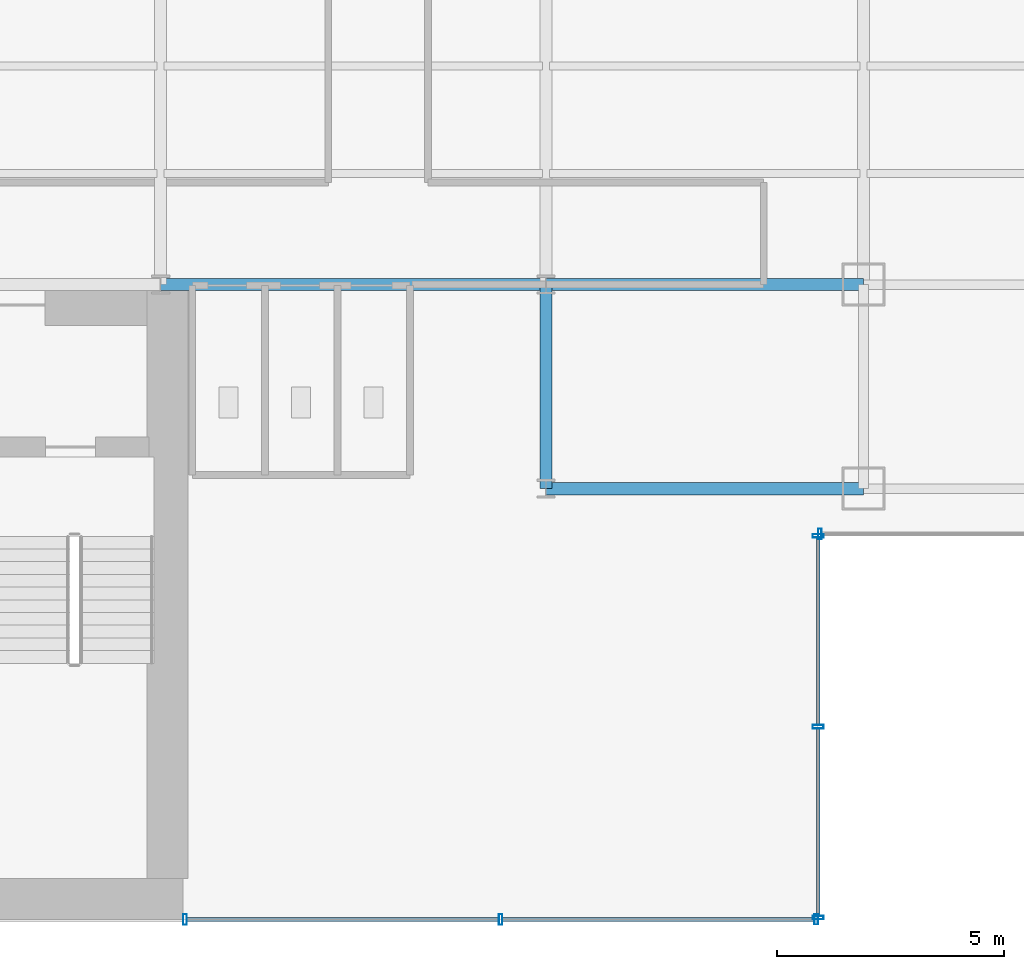
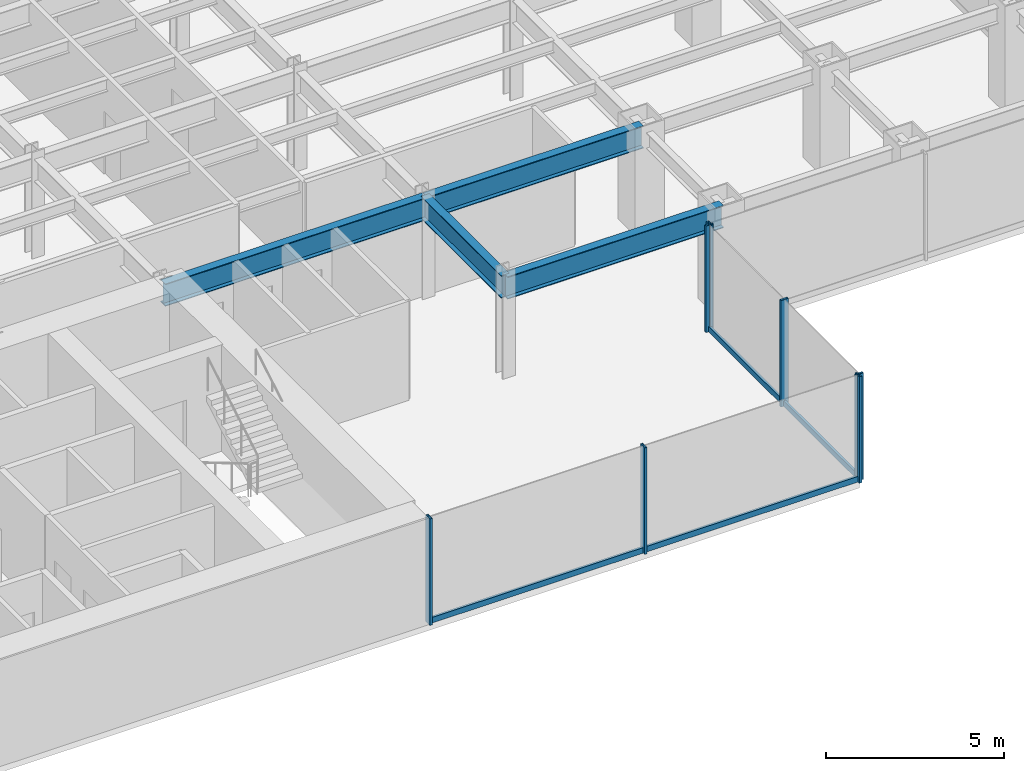
# One storey, part 6 of 23: 11 members, 4 beams, 3 elements without a shape of their own.
"""IFC4 building model written with IfcOpenShell, lengths in metres."""

from ifc_helpers import new_model, si_unit, derived_unit, direction, frame, origin, origin_2d, place, context, subcontext, project, spatial, hollow_rectangle, i_section, extrude, source, transform, mapped, material, material_profile, profile_set, type_object, element, aggregate, save


model = new_model("IFC4")

# Units and contexts
model_context = context("Model", 3, precision=1e-05, world=origin(), true_north=direction((0.0, 1.0)))
body_context = subcontext(model_context, "Body", "Model", "MODEL_VIEW")
ifc_project = project(units=[si_unit("LENGTHUNIT", "METRE"), si_unit("AREAUNIT", "SQUARE_METRE"), si_unit("VOLUMEUNIT", "CUBIC_METRE"), si_unit("PLANEANGLEUNIT", "RADIAN"), si_unit("MASSUNIT", "GRAM", prefix="KILO"), derived_unit("THERMALTRANSMITTANCEUNIT", [(si_unit("POWERUNIT", "WATT"), 1), (si_unit("LENGTHUNIT", "METRE"), -2), (si_unit("THERMODYNAMICTEMPERATUREUNIT", "KELVIN"), -1)])], contexts=[model_context])

# Site, building, storey
site_placement = place(None, origin())
site = spatial("IfcSite", under=ifc_project, at=site_placement, CompositionType="ELEMENT")
building_placement = place(site_placement, origin())
building = spatial("IfcBuilding", under=site, at=building_placement, Name="Skarnbrae Concourse Arena and Tower", CompositionType="ELEMENT")
storey_placement = place(building_placement, frame((0.0, 0.0, 47.10009765625)))
storey = spatial("IfcBuildingStorey", under=building, at=storey_placement, Name="L10", CompositionType="ELEMENT", Elevation=47.10009765625)

# Beams
ifc_material_1 = material(Name="Steel CSA G40.21 350W", Category="steel")
ifc_material_profile_1 = material_profile(ifc_material_1, i_section(OverallWidth=0.26806640625, OverallDepth=0.77001953125, WebThickness=0.015625, FlangeThickness=0.025390625, at=origin_2d()), Name="W760X196")
ifc_profile_set_1 = profile_set([ifc_material_profile_1], Name="Steel CSA G40.21 350W")
beam_type = type_object("IfcBeamType", Name="BM-GIRD-W760X196", PredefinedType="BEAM", material=ifc_profile_set_1)
shared_shape_1 = source(origin(), body_context, "Body", "SweptSolid", [
    extrude(i_section(OverallWidth=0.26806640625, OverallDepth=0.77001953125, WebThickness=0.015625, FlangeThickness=0.025390625, at=origin_2d()), origin(), (0.0, 0.0, 1.0), 7.0),
])
for number, where, z_axis, x_axis, name in (
    (1, (42.0, 9.5, 3.014892578125), (1.0, 0.0, 0.0), (0.0, 1.0, 0.0), "L10 Primary E-W girder Y9.5-2"),
    (2, (42.0, 14.0, 3.014892578125), (1.0, 0.0, 0.0), (0.0, 1.0, 0.0), "L10 Primary E-W girder Y14.0-7"),
):
    element("IfcBeam", number, at=place(storey_placement, frame(where, z_axis=z_axis, x_axis=x_axis)), inside=storey, type_object=beam_type, Name=name, PredefinedType="BEAM", context=body_context, shape_type="MappedRepresentation", body=[
        mapped(shared_shape_1, transform((0.0, 0.0, 0.0))),
    ])
shared_shape_2 = source(origin(), body_context, "Body", "SweptSolid", [
    extrude(i_section(OverallWidth=0.26806640625, OverallDepth=0.77001953125, WebThickness=0.015625, FlangeThickness=0.025390625, at=origin_2d()), origin(), (0.0, 0.0, 1.0), 8.5),
])
beam_1_placement = place(storey_placement, frame((33.5, 14.0, 3.014892578125), z_axis=(1.0, 0.0, 0.0), x_axis=(0.0, 1.0, 0.0)))
element("IfcBeam", 3, at=beam_1_placement, inside=storey, type_object=beam_type, Name="L10 Primary E-W girder Y14.0-6", PredefinedType="BEAM", context=body_context, shape_type="MappedRepresentation", body=[
    mapped(shared_shape_2, transform((0.0, 0.0, 0.0))),
])
shared_shape_3 = source(origin(), body_context, "Body", "SweptSolid", [
    extrude(i_section(OverallWidth=0.26806640625, OverallDepth=0.77001953125, WebThickness=0.015625, FlangeThickness=0.025390625, at=origin_2d()), origin(), (0.0, 0.0, 1.0), 4.5),
])
beam_2_placement = place(storey_placement, frame((42.0, 9.5, 3.014892578125), z_axis=(0.0, 1.0, 0.0), x_axis=(-1.0, 0.0, 0.0)))
element("IfcBeam", 4, at=beam_2_placement, inside=storey, type_object=beam_type, Name="L10 Primary N-S girder X42.0-1", PredefinedType="BEAM", context=body_context, shape_type="MappedRepresentation", body=[
    mapped(shared_shape_3, transform((0.0, 0.0, 0.0))),
])

# Curtain wall, members
ifc_material_2 = material(Name="Bronze anodised aluminium 6063-T6", Category="aluminium")
curtain_wall_type = type_object("IfcCurtainWallType", Name="CW-SYS-02-LOWZONE", PredefinedType="USERDEFINED", material=ifc_material_2)
curtain_wall_1_placement = place(storey_placement, origin())
curtain_wall_1 = element("IfcCurtainWall", 5, at=curtain_wall_1_placement, inside=storey, type_object=curtain_wall_type, Name="L10 Unitised curtain wall CW-L10-SE-SPINE", ObjectType="UNITISED CURTAIN WALL", PredefinedType="USERDEFINED")
ifc_material_profile_2 = material_profile(ifc_material_2, hollow_rectangle(XDim=0.080078125, YDim=0.239990234375, WallThickness=0.0048828125, at=origin_2d()), Name="ALU-MULL-80X240")
ifc_profile_set_2 = profile_set([ifc_material_profile_2], Name="Bronze anodised aluminium 6063-T6")
member_type_1 = type_object("IfcMemberType", Name="CWM-CW-02", PredefinedType="MULLION", material=ifc_profile_set_2)
shared_shape_4 = source(origin(), body_context, "Body", "SweptSolid", [
    extrude(hollow_rectangle(XDim=0.080078125, YDim=0.239990234375, WallThickness=0.0048828125, at=origin_2d()), origin(), (0.0, 0.0, 1.0), 3.64990234375),
])
member_1_placement = place(storey_placement, frame((34.0400390625, 0.0, 0.0), z_axis=(0.0, 0.0, 1.0), x_axis=(1.0, 0.0, 0.0)))
member_1 = element("IfcMember", 6, at=member_1_placement, type_object=member_type_1, Name="CW-L10-SE-SPINE Mullion 1", PredefinedType="MULLION", context=body_context, shape_type="MappedRepresentation", body=[
    mapped(shared_shape_4, transform((0.0, 0.0, 0.0))),
])
member_2_placement = place(storey_placement, frame((41.0, 0.0, 0.0), z_axis=(0.0, 0.0, 1.0), x_axis=(1.0, 0.0, 0.0)))
member_2 = element("IfcMember", 7, at=member_2_placement, type_object=member_type_1, Name="CW-L10-SE-SPINE Mullion 2", PredefinedType="MULLION", context=body_context, shape_type="MappedRepresentation", body=[
    mapped(shared_shape_4, transform((0.0, 0.0, 0.0))),
])
member_3_placement = place(storey_placement, frame((47.9599609375, 0.0, 0.0), z_axis=(0.0, 0.0, 1.0), x_axis=(1.0, 0.0, 0.0)))
member_3 = element("IfcMember", 8, at=member_3_placement, type_object=member_type_1, Name="CW-L10-SE-SPINE Mullion 3", PredefinedType="MULLION", context=body_context, shape_type="MappedRepresentation", body=[
    mapped(shared_shape_4, transform((0.0, 0.0, 0.0))),
])

curtain_wall_2_placement = place(storey_placement, origin())
curtain_wall_2 = element("IfcCurtainWall", 9, at=curtain_wall_2_placement, inside=storey, type_object=curtain_wall_type, Name="L10 Unitised curtain wall CW-L10-E02", ObjectType="UNITISED CURTAIN WALL", PredefinedType="USERDEFINED")
member_4_placement = place(storey_placement, frame((48.0, 0.0400390625, 0.0), z_axis=(0.0, 0.0, 1.0), x_axis=(0.0, 1.0, 0.0)))
member_4 = element("IfcMember", 10, at=member_4_placement, type_object=member_type_1, Name="CW-L10-E02 Mullion 1", PredefinedType="MULLION", context=body_context, shape_type="MappedRepresentation", body=[
    mapped(shared_shape_4, transform((0.0, 0.0, 0.0))),
])
member_5_placement = place(storey_placement, frame((48.0, 4.25, 0.0), z_axis=(0.0, 0.0, 1.0), x_axis=(0.0, 1.0, 0.0)))
member_5 = element("IfcMember", 11, at=member_5_placement, type_object=member_type_1, Name="CW-L10-E02 Mullion 2", PredefinedType="MULLION", context=body_context, shape_type="MappedRepresentation", body=[
    mapped(shared_shape_4, transform((0.0, 0.0, 0.0))),
])
member_6_placement = place(storey_placement, frame((48.0, 8.4599609375, 0.0), z_axis=(0.0, 0.0, 1.0), x_axis=(0.0, 1.0, 0.0)))
member_6 = element("IfcMember", 12, at=member_6_placement, type_object=member_type_1, Name="CW-L10-E02 Mullion 3", PredefinedType="MULLION", context=body_context, shape_type="MappedRepresentation", body=[
    mapped(shared_shape_4, transform((0.0, 0.0, 0.0))),
])

# Curtain wall, member
curtain_wall_3_placement = place(storey_placement, origin())
curtain_wall_3 = element("IfcCurtainWall", 13, at=curtain_wall_3_placement, inside=storey, type_object=curtain_wall_type, Name="L10 Unitised curtain wall CW-L10-E03", ObjectType="UNITISED CURTAIN WALL", PredefinedType="USERDEFINED")
member_7_placement = place(storey_placement, frame((48.0400390625, 8.5, 0.0), z_axis=(0.0, 0.0, 1.0), x_axis=(1.0, 0.0, 0.0)))
member_7 = element("IfcMember", 14, at=member_7_placement, type_object=member_type_1, Name="CW-L10-E03 Mullion 1", PredefinedType="MULLION", context=body_context, shape_type="MappedRepresentation", body=[
    mapped(shared_shape_4, transform((0.0, 0.0, 0.0))),
])
aggregate(curtain_wall_3, [member_7])

# Member
ifc_material_profile_3 = material_profile(ifc_material_2, hollow_rectangle(XDim=0.080078125, YDim=0.18994140625, WallThickness=0.0048828125, at=origin_2d()), Name="ALU-TRAN-80X190")
ifc_profile_set_3 = profile_set([ifc_material_profile_3], Name="Bronze anodised aluminium 6063-T6")
member_type_2 = type_object("IfcMemberType", Name="CWT-CW-02", PredefinedType="USERDEFINED", material=ifc_profile_set_3)
shared_shape_5 = source(origin(), body_context, "Body", "SweptSolid", [
    extrude(hollow_rectangle(XDim=0.080078125, YDim=0.18994140625, WallThickness=0.0048828125, at=origin_2d()), origin(), (0.0, 0.0, 1.0), 6.8798828125),
])
member_8_placement = place(storey_placement, frame((34.080078125, 0.0, 0.094970703125), z_axis=(1.0, 0.0, 0.0), x_axis=(0.0, 1.0, 0.0)))
member_8 = element("IfcMember", 15, at=member_8_placement, type_object=member_type_2, Name="CW-L10-SE-SPINE Transom 1", ObjectType="TRANSOM", PredefinedType="USERDEFINED", context=body_context, shape_type="MappedRepresentation", body=[
    mapped(shared_shape_5, transform((0.0, 0.0, 0.0))),
])

member_9_placement = place(storey_placement, frame((41.0400390625, 0.0, 0.094970703125), z_axis=(1.0, 0.0, 0.0), x_axis=(0.0, 1.0, 0.0)))
member_9 = element("IfcMember", 16, at=member_9_placement, type_object=member_type_2, Name="CW-L10-SE-SPINE Transom 2", ObjectType="TRANSOM", PredefinedType="USERDEFINED", context=body_context, shape_type="MappedRepresentation", body=[
    mapped(shared_shape_5, transform((0.0, 0.0, 0.0))),
])

aggregate(curtain_wall_1, [member_1, member_2, member_3, member_8, member_9])

shared_shape_6 = source(origin(), body_context, "Body", "SweptSolid", [
    extrude(hollow_rectangle(XDim=0.080078125, YDim=0.18994140625, WallThickness=0.0048828125, at=origin_2d()), origin(), (0.0, 0.0, 1.0), 4.1298828125),
])
member_10_placement = place(storey_placement, frame((48.0, 0.080078125, 0.094970703125), z_axis=(0.0, 1.0, 0.0), x_axis=(-1.0, 0.0, 0.0)))
member_10 = element("IfcMember", 17, at=member_10_placement, type_object=member_type_2, Name="CW-L10-E02 Transom 1", ObjectType="TRANSOM", PredefinedType="USERDEFINED", context=body_context, shape_type="MappedRepresentation", body=[
    mapped(shared_shape_6, transform((0.0, 0.0, 0.0))),
])

member_11_placement = place(storey_placement, frame((48.0, 4.2900390625, 0.094970703125), z_axis=(0.0, 1.0, 0.0), x_axis=(-1.0, 0.0, 0.0)))
member_11 = element("IfcMember", 18, at=member_11_placement, type_object=member_type_2, Name="CW-L10-E02 Transom 2", ObjectType="TRANSOM", PredefinedType="USERDEFINED", context=body_context, shape_type="MappedRepresentation", body=[
    mapped(shared_shape_6, transform((0.0, 0.0, 0.0))),
])

aggregate(curtain_wall_2, [member_4, member_5, member_6, member_10, member_11])

save(model, "model.ifc")
